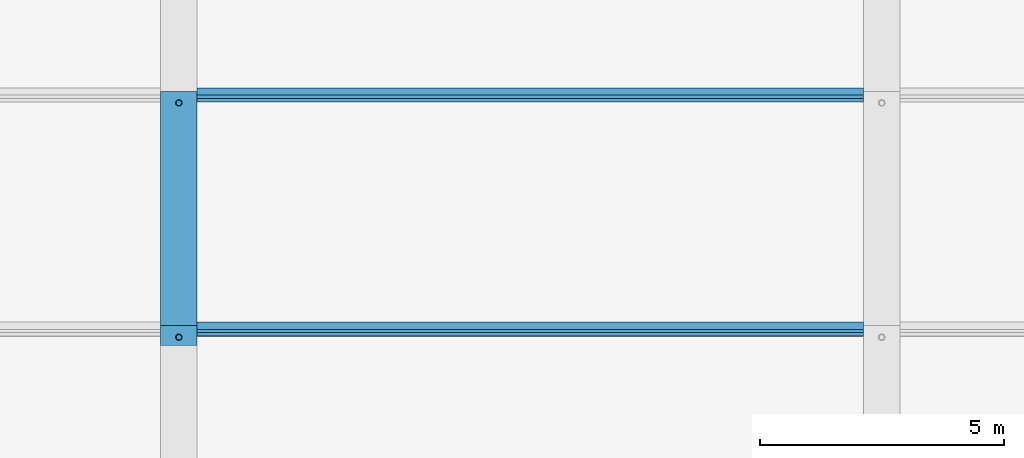
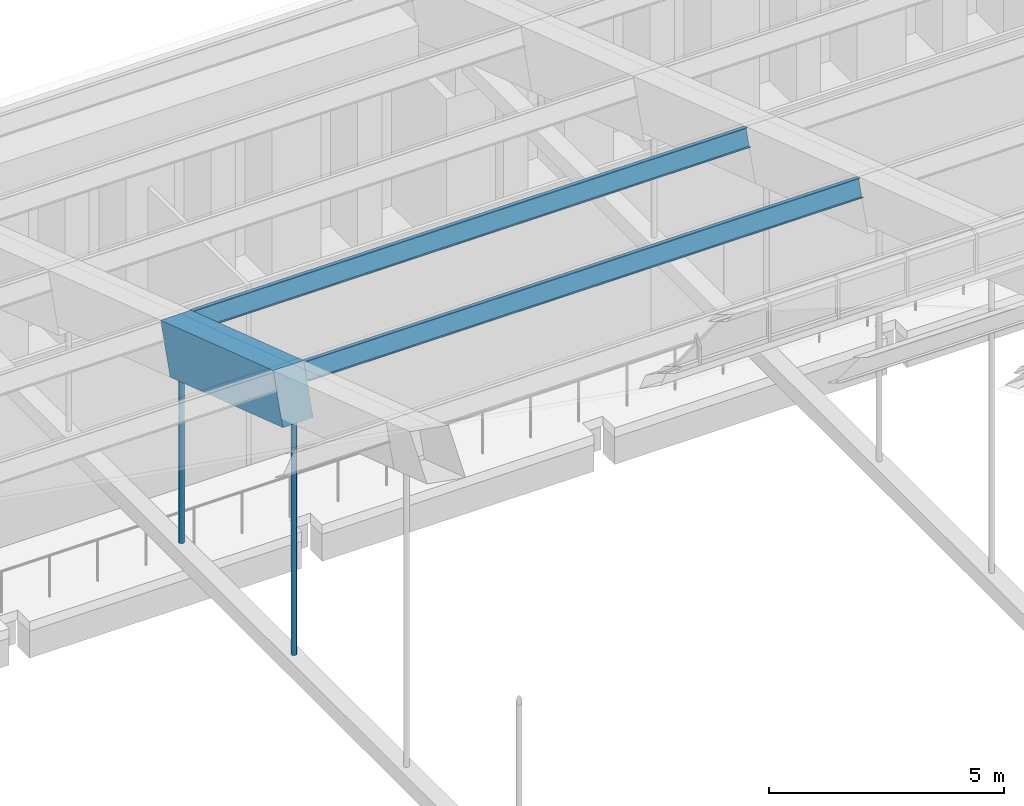
# One storey, part 67 of 149: 4 members, 1 beam.
"""IFC4 building model written with IfcOpenShell, lengths in metres."""

from ifc_helpers import new_model, si_unit, direction, frame, origin, origin_2d, place, context, subcontext, project, spatial, rectangle, hollow_circle, i_section, extrude, material, material_profile, profile_set, type_object, element, save


model = new_model("IFC4")

# Units and contexts
model_context = context("Model", 3, precision=1e-05, world=origin(), true_north=direction((0.0, 1.0)))
body_context = subcontext(model_context, "Body", "Model", "MODEL_VIEW")
ifc_project = project(units=[si_unit("LENGTHUNIT", "METRE"), si_unit("AREAUNIT", "SQUARE_METRE"), si_unit("VOLUMEUNIT", "CUBIC_METRE"), si_unit("PLANEANGLEUNIT", "RADIAN"), si_unit("MASSUNIT", "GRAM", prefix="KILO")], contexts=[model_context])

# Site, building, storey
site_placement = place(None, origin())
site = spatial("IfcSite", under=ifc_project, at=site_placement, CompositionType="ELEMENT")
building_placement = place(site_placement, origin())
building = spatial("IfcBuilding", under=site, at=building_placement, Name="Alderwick Market Hall", CompositionType="ELEMENT")
storey_placement = place(building_placement, frame((0.0, 0.0, 9.60009765625)))
storey = spatial("IfcBuildingStorey", under=building, at=storey_placement, Name="L01", CompositionType="ELEMENT", Elevation=9.60009765625)

# Beam
ifc_material_1 = material(Name="Concrete 5000 psi (f'c 35 MPa)", Category="concrete")
ifc_material_profile_1 = material_profile(ifc_material_1, rectangle(XDim=0.75, YDim=1.300048828125, at=origin_2d()), Name="RC 750x1300")
ifc_profile_set_1 = profile_set([ifc_material_profile_1], Name="Concrete 5000 psi (f'c 35 MPa)")
beam_type = type_object("IfcBeamType", Name="R Arch Rib Haunch 750x1300", PredefinedType="BEAM", material=ifc_profile_set_1)
beam_placement = place(storey_placement, frame((108.0, 88.83154296875, 13.0947265625), z_axis=(0.0, 0.948692948114, -0.316198814353), x_axis=(-1.0, 0.0, 0.0)))
element("IfcBeam", 1, at=beam_placement, inside=storey, type_object=beam_type, Name="Arch rib 5 chord 9", PredefinedType="BEAM", context=body_context, shape_type="SweptSolid", body=[
    extrude(rectangle(XDim=0.75, YDim=1.300048828125, at=origin_2d()), origin(), (0.0, 0.0, 1.0), 5.0595703125),
])

# Members
ifc_material_2 = material(Name="Steel ASTM A500 Grade C", Category="steel")
ifc_material_profile_2 = material_profile(ifc_material_2, hollow_circle(Radius=0.0634765625, WallThickness=0.005859375, at=origin_2d()), Name="HSS5.000x0.250")
ifc_profile_set_2 = profile_set([ifc_material_profile_2], Name="Steel ASTM A500 Grade C")
member_type_1 = type_object("IfcMemberType", Name="R Hanger HSS5.000x0.250", PredefinedType="POST", material=ifc_profile_set_2)
member_1_placement = place(storey_placement, frame((108.0, 88.800048828125, 6.35302734375), z_axis=(0.0, 0.0, 1.0), x_axis=(1.0, 0.0, 0.0)))
element("IfcMember", 2, at=member_1_placement, inside=storey, type_object=member_type_1, Name="Arch hanger 5.8", PredefinedType="POST", context=body_context, shape_type="SweptSolid", body=[
    extrude(hollow_circle(Radius=0.0634765625, WallThickness=0.005859375, at=origin_2d()), origin(), (0.0, 0.0, 1.0), 6.0458984375),
])
member_2_placement = place(storey_placement, frame((108.0, 93.60009765625, 6.35302734375), z_axis=(0.0, 0.0, 1.0), x_axis=(1.0, 0.0, 0.0)))
element("IfcMember", 3, at=member_2_placement, inside=storey, type_object=member_type_1, Name="Arch hanger 5.9", PredefinedType="POST", context=body_context, shape_type="SweptSolid", body=[
    extrude(hollow_circle(Radius=0.0634765625, WallThickness=0.005859375, at=origin_2d()), origin(), (0.0, 0.0, 1.0), 4.446044921875),
])
ifc_material_3 = material(Name="Steel ASTM A992 Grade 50", Category="steel")
ifc_material_profile_3 = material_profile(ifc_material_3, i_section(OverallWidth=0.153076171875, OverallDepth=0.455078125, WebThickness=0.008056640625, FlangeThickness=0.01318359375, at=origin_2d()), Name="W18x40")
ifc_profile_set_3 = profile_set([ifc_material_profile_3], Name="Steel ASTM A992 Grade 50")
member_type_2 = type_object("IfcMemberType", Name="R Purlin W18x40", PredefinedType="PURLIN", material=ifc_profile_set_3)
for number, where, z_axis, x_axis, name in (
    (4, (108.375, 88.96337890625, 13.489990234375), (1.0, 0.0, 0.0), (0.0, 0.948683297073, -0.316227768949), "Roof purlin 9.5"),
    (5, (108.375, 93.763427734375, 11.889892578125), (1.0, 0.0, 0.0), (0.0, 0.948683297073, -0.316227768949), "Roof purlin 10.5"),
):
    element("IfcMember", number, at=place(storey_placement, frame(where, z_axis=z_axis, x_axis=x_axis)), inside=storey, type_object=member_type_2, Name=name, PredefinedType="PURLIN", context=body_context, shape_type="SweptSolid", body=[
        extrude(i_section(OverallWidth=0.153076171875, OverallDepth=0.455078125, WebThickness=0.008056640625, FlangeThickness=0.01318359375, at=origin_2d()), origin(), (0.0, 0.0, 1.0), 13.64990234375),
    ])

save(model, "model.ifc")
